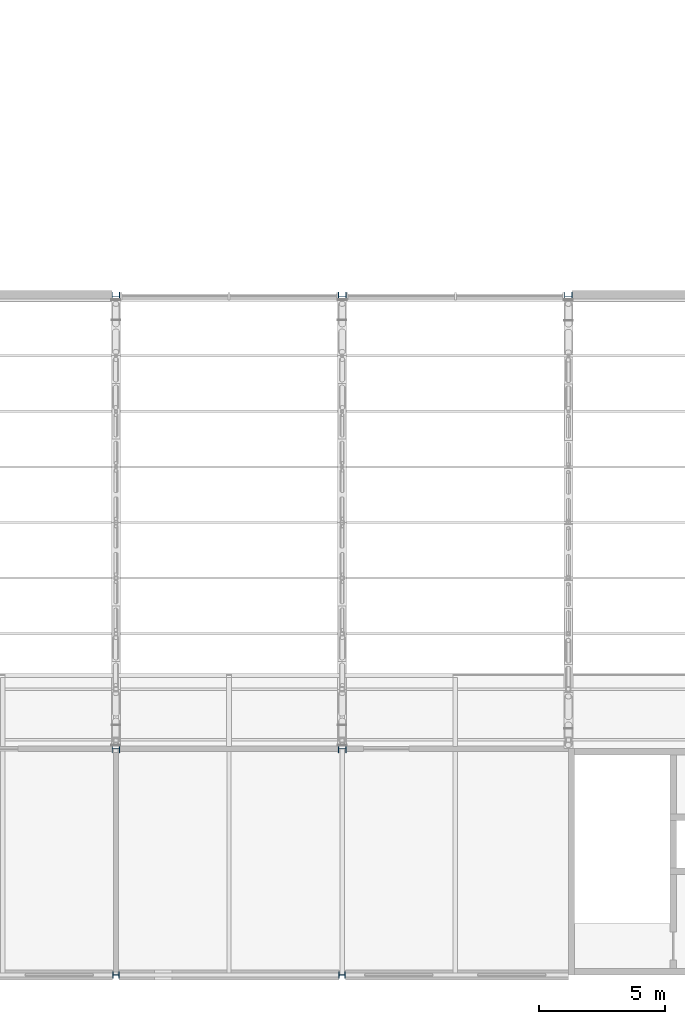
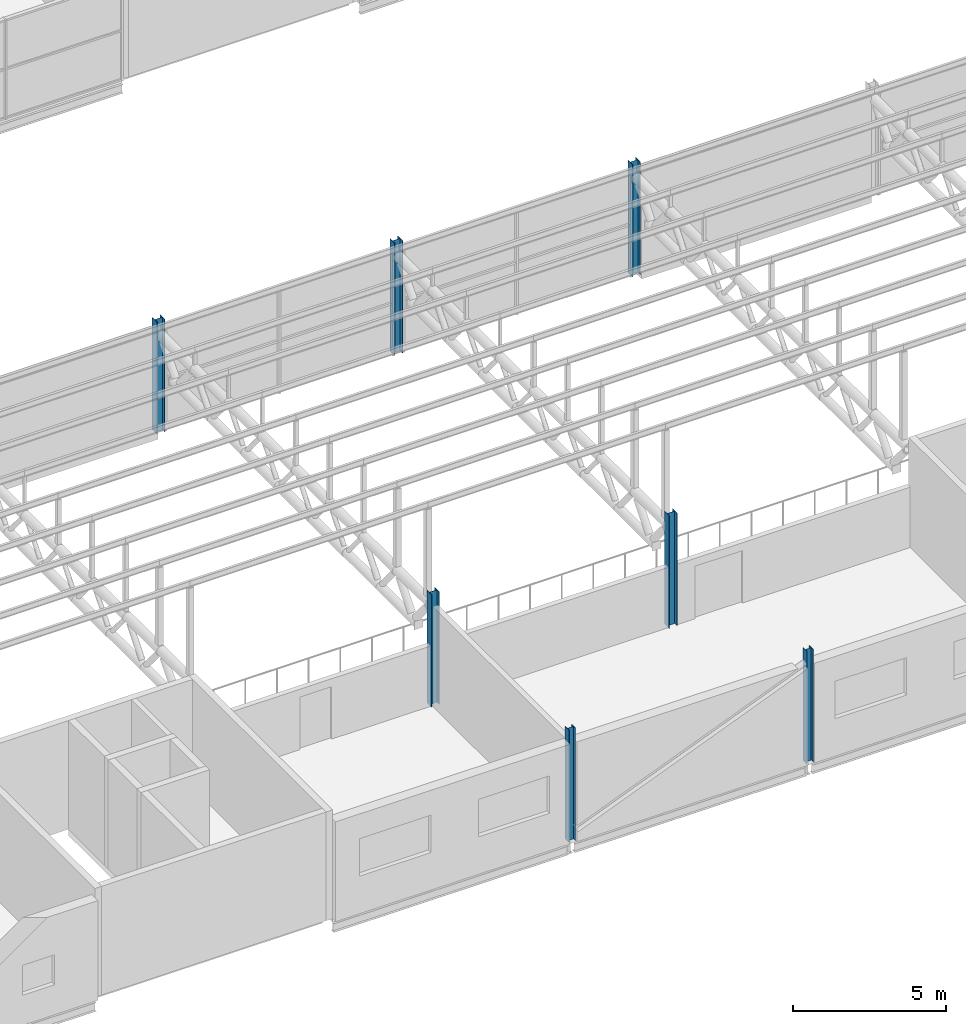
# One storey, part 8 of 138: 7 columns.
"""IFC4 building model written with IfcOpenShell, lengths in metres."""

from ifc_helpers import new_model, si_unit, direction, frame, origin, origin_2d, place, context, subcontext, project, spatial, i_section, extrude, material, material_profile, profile_set, type_object, element, save


model = new_model("IFC4")

# Units and contexts
model_context = context("Model", 3, precision=1e-05, world=origin(), true_north=direction((0.0, 1.0)))
body_context = subcontext(model_context, "Body", "Model", "MODEL_VIEW")
ifc_project = project(units=[si_unit("LENGTHUNIT", "METRE"), si_unit("AREAUNIT", "SQUARE_METRE"), si_unit("VOLUMEUNIT", "CUBIC_METRE"), si_unit("PLANEANGLEUNIT", "RADIAN"), si_unit("MASSUNIT", "GRAM", prefix="KILO")], contexts=[model_context])

# Site, building, storey
site_placement = place(None, origin())
site = spatial("IfcSite", under=ifc_project, at=site_placement, CompositionType="ELEMENT")
building_placement = place(site_placement, origin())
building = spatial("IfcBuilding", under=site, at=building_placement, Name="Corbel Yard City Hall", CompositionType="ELEMENT")
storey_placement = place(building_placement, frame((0.0, 0.0, 10.5)))
storey = spatial("IfcBuildingStorey", under=building, at=storey_placement, Name="L02", CompositionType="ELEMENT", Elevation=10.5)

# Columns
ifc_material = material(Name="Steel Grade 300 (300 MPa yield)", Category="steel")
ifc_material_profile_1 = material_profile(ifc_material, i_section(OverallWidth=0.25390625, OverallDepth=0.25390625, WebThickness=0.008544921875, FlangeThickness=0.01416015625, at=origin_2d()), Name="250UC72.9")
ifc_profile_set_1 = profile_set([ifc_material_profile_1], Name="Steel Grade 300 (300 MPa yield)")
column_type_1 = type_object("IfcColumnType", Name="Column 250UC72.9", PredefinedType="COLUMN", material=ifc_profile_set_1)
for number, where, z_axis, x_axis, name in (
    (1, (99.0, 0.0, 0.0), (0.0, 0.0, 1.0), (0.0, 1.0, 0.0), "Column 250UC72.9 A/12 L02"),
    (2, (108.0, 0.0, 0.0), (0.0, 0.0, 1.0), (0.0, 1.0, 0.0), "Column 250UC72.9 A/13 L02"),
):
    element("IfcColumn", number, at=place(storey_placement, frame(where, z_axis=z_axis, x_axis=x_axis)), inside=storey, type_object=column_type_1, Name=name, PredefinedType="COLUMN", context=body_context, shape_type="SweptSolid", body=[
        extrude(i_section(OverallWidth=0.25390625, OverallDepth=0.25390625, WebThickness=0.008544921875, FlangeThickness=0.01416015625, at=origin_2d()), origin(), (0.0, 0.0, 1.0), 4.5),
    ])
ifc_material_profile_2 = material_profile(ifc_material, i_section(OverallWidth=0.304931640625, OverallDepth=0.30810546875, WebThickness=0.010009765625, FlangeThickness=0.015380859375, at=origin_2d()), Name="310UC96.8")
ifc_profile_set_2 = profile_set([ifc_material_profile_2], Name="Steel Grade 300 (300 MPa yield)")
column_type_2 = type_object("IfcColumnType", Name="Column 310UC96.8", PredefinedType="COLUMN", material=ifc_profile_set_2)
for number, where, z_axis, x_axis, name in (
    (3, (99.0, 9.0, 0.0), (0.0, 0.0, 1.0), (0.0, 1.0, 0.0), "Column 310UC96.8 B/12 L02"),
    (4, (99.0, 27.0, 0.0), (0.0, 0.0, 1.0), (0.0, 1.0, 0.0), "Column 310UC96.8 D/12 L02"),
    (5, (108.0, 9.0, 0.0), (0.0, 0.0, 1.0), (0.0, 1.0, 0.0), "Column 310UC96.8 B/13 L02"),
    (6, (108.0, 27.0, 0.0), (0.0, 0.0, 1.0), (0.0, 1.0, 0.0), "Column 310UC96.8 D/13 L02"),
    (7, (117.0, 27.0, 0.0), (0.0, 0.0, 1.0), (0.0, 1.0, 0.0), "Column 310UC96.8 D/14 L02"),
):
    element("IfcColumn", number, at=place(storey_placement, frame(where, z_axis=z_axis, x_axis=x_axis)), inside=storey, type_object=column_type_2, Name=name, PredefinedType="COLUMN", context=body_context, shape_type="SweptSolid", body=[
        extrude(i_section(OverallWidth=0.304931640625, OverallDepth=0.30810546875, WebThickness=0.010009765625, FlangeThickness=0.015380859375, at=origin_2d()), origin(), (0.0, 0.0, 1.0), 4.5),
    ])

save(model, "model.ifc")
